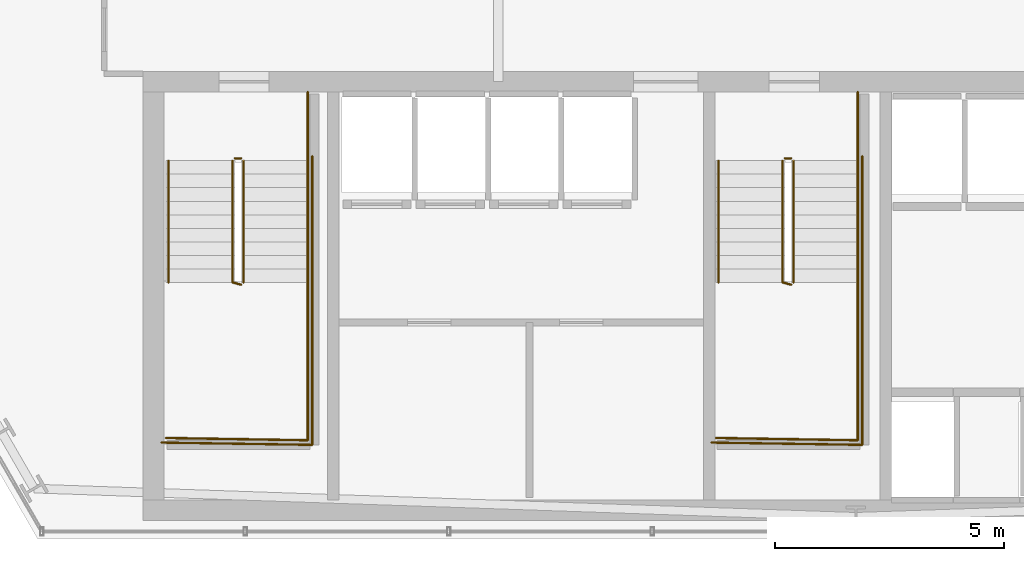
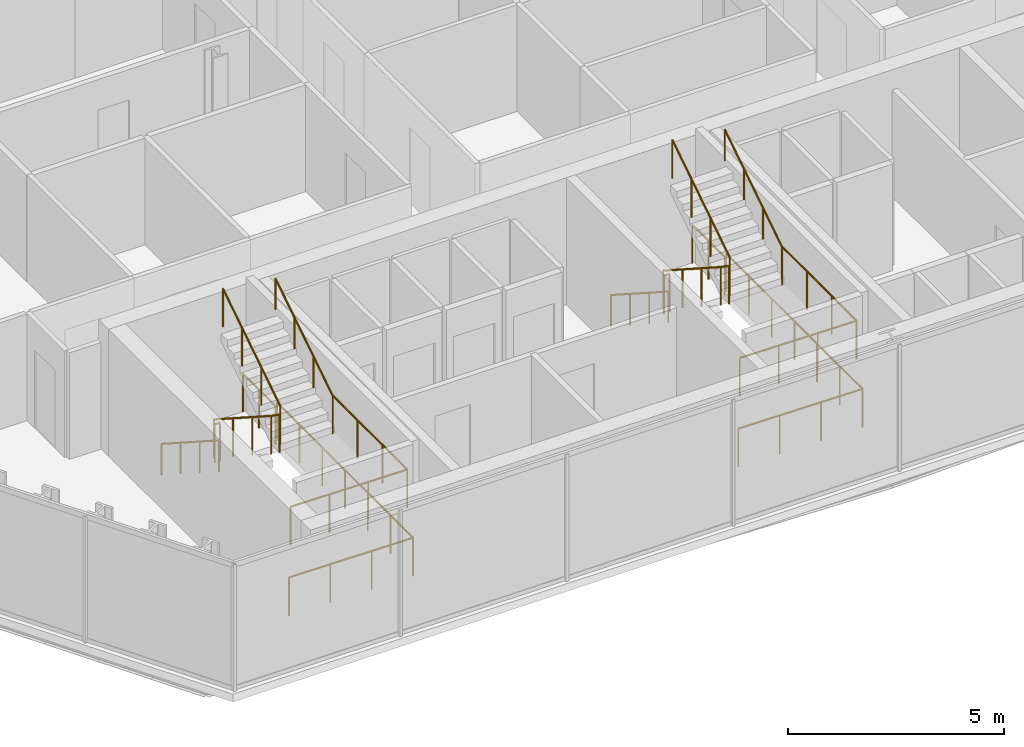
# One storey, part 29 of 31: 16 railings.
"""IFC4 building model written with IfcOpenShell, lengths in metres."""

from ifc_helpers import new_model, si_unit, direction, frame, origin, origin_2d, place, context, subcontext, project, spatial, circle, extrude, material, layer, layer_set, type_object, element, save


model = new_model("IFC4")

# Units and contexts
model_context = context("Model", 3, precision=1e-05, world=origin(), true_north=direction((0.0, 1.0)))
body_context = subcontext(model_context, "Body", "Model", "MODEL_VIEW")
ifc_project = project(units=[si_unit("LENGTHUNIT", "METRE"), si_unit("AREAUNIT", "SQUARE_METRE"), si_unit("VOLUMEUNIT", "CUBIC_METRE"), si_unit("PLANEANGLEUNIT", "RADIAN"), si_unit("MASSUNIT", "GRAM", prefix="KILO")], contexts=[model_context])

# Site, building, storey
site_placement = place(None, origin())
site = spatial("IfcSite", under=ifc_project, at=site_placement, CompositionType="ELEMENT")
building_placement = place(site_placement, origin())
building = spatial("IfcBuilding", under=site, at=building_placement, Name="Ndaravel Arena Tower", CompositionType="ELEMENT")
storey_placement = place(building_placement, frame((0.0, 0.0, 138.39990234375)))
storey = spatial("IfcBuildingStorey", under=building, at=storey_placement, Name="L32", CompositionType="ELEMENT", Elevation=138.39990234375)

# Railings
ifc_material_1 = material(Name="Steel S355", Category="steel")
ifc_layer_1 = layer(ifc_material_1, 0.06005859375)
ifc_layer_set_1 = layer_set([ifc_layer_1], Name="Steel S355")
railing_type_1 = type_object("IfcRailingType", Name="RAIL-STAIR-GD1100", PredefinedType="GUARDRAIL", material=ifc_layer_set_1)
railing_1_placement = place(storey_placement, frame((28.39990234375, 13.25, 0.190185546875)))
element("IfcRailing", 1, at=railing_1_placement, inside=storey, type_object=railing_type_1, Name="L32 ST-1 stair guard 1", PredefinedType="GUARDRAIL", context=body_context, shape_type="SweptSolid", body=[
    extrude(circle(Radius=0.02392578125, at=origin_2d()), frame((0.0, 0.0, 1.076171875), z_axis=(0.0, -0.840723540582, 0.54146461409), x_axis=(1.0, 0.0, 0.0)), (0.0, 0.0, 1.0), 3.157958984375),
    extrude(circle(Radius=0.02392578125, at=origin_2d()), frame((0.0, -2.655029296875, 2.7861328125), z_axis=(0.967074537263, -0.25449329928, 0.0), x_axis=(0.25449329928, 0.967074537263, 0.0)), (0.0, 0.0, 1.0), 0.19677734375),
    extrude(circle(Radius=0.02099609375, at=origin_2d()), origin(), (0.0, 0.0, 1.0), 1.052001953125),
    extrude(circle(Radius=0.02099609375, at=origin_2d()), frame((0.0, -0.885009765625, 0.570068359375)), (0.0, 0.0, 1.0), 1.052001953125),
    extrude(circle(Radius=0.02099609375, at=origin_2d()), frame((0.0, -1.77001953125, 1.139892578125)), (0.0, 0.0, 1.0), 1.052001953125),
    extrude(circle(Radius=0.02099609375, at=origin_2d()), frame((0.0, -2.655029296875, 1.7099609375)), (0.0, 0.0, 1.0), 1.052001953125),
    extrude(circle(Radius=0.02099609375, at=origin_2d()), frame((0.190185546875, -2.705078125, 1.7099609375)), (0.0, 0.0, 1.0), 1.052001953125),
])
railing_2_placement = place(storey_placement, frame((30.0400390625, 10.594970703125, 1.900146484375)))
element("IfcRailing", 2, at=railing_2_placement, inside=storey, type_object=railing_type_1, Name="L32 ST-1 stair guard 2", PredefinedType="GUARDRAIL", context=body_context, shape_type="SweptSolid", body=[
    extrude(circle(Radius=0.02392578125, at=origin_2d()), frame((0.0, 0.0, 1.076171875), z_axis=(0.0, -1.0, 0.0), x_axis=(1.0, 0.0, 0.0)), (0.0, 0.0, 1.0), 3.445068359375),
    extrude(circle(Radius=0.02392578125, at=origin_2d()), frame((0.0, -3.445068359375, 1.076171875), z_axis=(-0.999868861343, 0.016194447071, 0.0), x_axis=(-0.016194447071, -0.999868861343, 0.0)), (0.0, 0.0, 1.0), 3.090576171875),
    extrude(circle(Radius=0.02099609375, at=origin_2d()), origin(), (0.0, 0.0, 1.0), 1.052001953125),
    extrude(circle(Radius=0.02099609375, at=origin_2d()), frame((0.0, -1.1484375, 0.0)), (0.0, 0.0, 1.0), 1.052001953125),
    extrude(circle(Radius=0.02099609375, at=origin_2d()), frame((0.0, -2.296630859375, 0.0)), (0.0, 0.0, 1.0), 1.052001953125),
    extrude(circle(Radius=0.02099609375, at=origin_2d()), frame((0.0, -3.445068359375, 0.0)), (0.0, 0.0, 1.0), 1.052001953125),
    extrude(circle(Radius=0.02099609375, at=origin_2d()), frame((-1.030029296875, -3.428466796875, 0.0)), (0.0, 0.0, 1.0), 1.052001953125),
    extrude(circle(Radius=0.02099609375, at=origin_2d()), frame((-2.06005859375, -3.41162109375, 0.0)), (0.0, 0.0, 1.0), 1.052001953125),
    extrude(circle(Radius=0.02099609375, at=origin_2d()), frame((-3.090087890625, -3.39501953125, 0.0)), (0.0, 0.0, 1.0), 1.052001953125),
])
railing_3_placement = place(storey_placement, frame((28.639892578125, 10.594970703125, 2.090087890625)))
element("IfcRailing", 3, at=railing_3_placement, inside=storey, type_object=railing_type_1, Name="L32 ST-1 stair guard 3", PredefinedType="GUARDRAIL", context=body_context, shape_type="SweptSolid", body=[
    extrude(circle(Radius=0.02392578125, at=origin_2d()), frame((0.0, 0.0, 1.076171875), z_axis=(0.0, 0.840723540582, 0.54146461409), x_axis=(-1.0, 0.0, 0.0)), (0.0, 0.0, 1.0), 3.157958984375),
    extrude(circle(Radius=0.02099609375, at=origin_2d()), origin(), (0.0, 0.0, 1.0), 1.052001953125),
    extrude(circle(Radius=0.02099609375, at=origin_2d()), frame((0.0, 0.885009765625, 0.570068359375)), (0.0, 0.0, 1.0), 1.052001953125),
    extrude(circle(Radius=0.02099609375, at=origin_2d()), frame((0.0, 1.77001953125, 1.139892578125)), (0.0, 0.0, 1.0), 1.052001953125),
    extrude(circle(Radius=0.02099609375, at=origin_2d()), frame((0.0, 2.655029296875, 1.7099609375)), (0.0, 0.0, 1.0), 1.052001953125),
])
railing_4_placement = place(storey_placement, frame((28.449951171875, 13.300048828125, 0.0)))
element("IfcRailing", 4, at=railing_4_placement, inside=storey, type_object=railing_type_1, Name="L32 ST-1 stair guard 4", PredefinedType="GUARDRAIL", context=body_context, shape_type="SweptSolid", body=[
    extrude(circle(Radius=0.02392578125, at=origin_2d()), frame((0.0, 0.0, 1.076171875), z_axis=(1.0, 0.0, 0.0), x_axis=(0.0, 1.0, 0.0)), (0.0, 0.0, 1.0), 0.14013671875),
    extrude(circle(Radius=0.02099609375, at=origin_2d()), origin(), (0.0, 0.0, 1.0), 1.052001953125),
    extrude(circle(Radius=0.02099609375, at=origin_2d()), frame((0.14013671875, 0.0, 0.0)), (0.0, 0.0, 1.0), 1.052001953125),
])
railing_5_placement = place(storey_placement, frame((30.0400390625, 14.75, 0.0)))
element("IfcRailing", 5, at=railing_5_placement, inside=storey, type_object=railing_type_1, Name="L32 ST-1 stair guard 5", PredefinedType="GUARDRAIL", context=body_context, shape_type="SweptSolid", body=[
    extrude(circle(Radius=0.02392578125, at=origin_2d()), frame((0.0, 0.0, 1.076171875), z_axis=(0.0, -1.0, 0.0), x_axis=(1.0, 0.0, 0.0)), (0.0, 0.0, 1.0), 1.5),
    extrude(circle(Radius=0.02099609375, at=origin_2d()), origin(), (0.0, 0.0, 1.0), 1.052001953125),
    extrude(circle(Radius=0.02099609375, at=origin_2d()), frame((0.0, -0.75, 0.0)), (0.0, 0.0, 1.0), 1.052001953125),
    extrude(circle(Radius=0.02099609375, at=origin_2d()), frame((0.0, -1.5, 0.0)), (0.0, 0.0, 1.0), 1.052001953125),
])
railing_6_placement = place(storey_placement, frame((30.139892578125, 13.35009765625, 0.0)))
element("IfcRailing", 6, at=railing_6_placement, inside=storey, type_object=railing_type_1, Name="L32 ST-1 stair guard 6", PredefinedType="GUARDRAIL", context=body_context, shape_type="SweptSolid", body=[
    extrude(circle(Radius=0.02392578125, at=origin_2d()), frame((0.0, 0.0, 1.076171875), z_axis=(0.0, -1.0, 0.0), x_axis=(1.0, 0.0, 0.0)), (0.0, 0.0, 1.0), 6.300048828125),
    extrude(circle(Radius=0.02392578125, at=origin_2d()), frame((0.0, -6.300048828125, 1.076171875), z_axis=(-0.999884296952, 0.015211597839, 0.0), x_axis=(-0.015211597839, -0.999884296952, 0.0)), (0.0, 0.0, 1.0), 3.290283203125),
    extrude(circle(Radius=0.02099609375, at=origin_2d()), origin(), (0.0, 0.0, 1.0), 1.052001953125),
    extrude(circle(Radius=0.02099609375, at=origin_2d()), frame((0.0, -1.050048828125, 0.0)), (0.0, 0.0, 1.0), 1.052001953125),
    extrude(circle(Radius=0.02099609375, at=origin_2d()), frame((0.0, -2.10009765625, 0.0)), (0.0, 0.0, 1.0), 1.052001953125),
    extrude(circle(Radius=0.02099609375, at=origin_2d()), frame((0.0, -3.14990234375, 0.0)), (0.0, 0.0, 1.0), 1.052001953125),
    extrude(circle(Radius=0.02099609375, at=origin_2d()), frame((0.0, -4.199951171875, 0.0)), (0.0, 0.0, 1.0), 1.052001953125),
    extrude(circle(Radius=0.02099609375, at=origin_2d()), frame((0.0, -5.25, 0.0)), (0.0, 0.0, 1.0), 1.052001953125),
    extrude(circle(Radius=0.02099609375, at=origin_2d()), frame((0.0, -6.300048828125, 0.0)), (0.0, 0.0, 1.0), 1.052001953125),
    extrude(circle(Radius=0.02099609375, at=origin_2d()), frame((-1.0966796875, -6.283447265625, 0.0)), (0.0, 0.0, 1.0), 1.052001953125),
    extrude(circle(Radius=0.02099609375, at=origin_2d()), frame((-2.193115234375, -6.2666015625, 0.0)), (0.0, 0.0, 1.0), 1.052001953125),
    extrude(circle(Radius=0.02099609375, at=origin_2d()), frame((-3.289794921875, -6.25, 0.0)), (0.0, 0.0, 1.0), 1.052001953125),
])
railing_7_placement = place(storey_placement, frame((40.39990234375, 13.25, 0.190185546875)))
element("IfcRailing", 7, at=railing_7_placement, inside=storey, type_object=railing_type_1, Name="L32 ST-2 stair guard 1", PredefinedType="GUARDRAIL", context=body_context, shape_type="SweptSolid", body=[
    extrude(circle(Radius=0.02392578125, at=origin_2d()), frame((0.0, 0.0, 1.076171875), z_axis=(0.0, -0.840723540582, 0.54146461409), x_axis=(1.0, 0.0, 0.0)), (0.0, 0.0, 1.0), 3.157958984375),
    extrude(circle(Radius=0.02392578125, at=origin_2d()), frame((0.0, -2.655029296875, 2.7861328125), z_axis=(0.967074537263, -0.25449329928, 0.0), x_axis=(0.25449329928, 0.967074537263, 0.0)), (0.0, 0.0, 1.0), 0.19677734375),
    extrude(circle(Radius=0.02099609375, at=origin_2d()), origin(), (0.0, 0.0, 1.0), 1.052001953125),
    extrude(circle(Radius=0.02099609375, at=origin_2d()), frame((0.0, -0.885009765625, 0.570068359375)), (0.0, 0.0, 1.0), 1.052001953125),
    extrude(circle(Radius=0.02099609375, at=origin_2d()), frame((0.0, -1.77001953125, 1.139892578125)), (0.0, 0.0, 1.0), 1.052001953125),
    extrude(circle(Radius=0.02099609375, at=origin_2d()), frame((0.0, -2.655029296875, 1.7099609375)), (0.0, 0.0, 1.0), 1.052001953125),
    extrude(circle(Radius=0.02099609375, at=origin_2d()), frame((0.190185546875, -2.705078125, 1.7099609375)), (0.0, 0.0, 1.0), 1.052001953125),
])
railing_8_placement = place(storey_placement, frame((42.0400390625, 10.594970703125, 1.900146484375)))
element("IfcRailing", 8, at=railing_8_placement, inside=storey, type_object=railing_type_1, Name="L32 ST-2 stair guard 2", PredefinedType="GUARDRAIL", context=body_context, shape_type="SweptSolid", body=[
    extrude(circle(Radius=0.02392578125, at=origin_2d()), frame((0.0, 0.0, 1.076171875), z_axis=(0.0, -1.0, 0.0), x_axis=(1.0, 0.0, 0.0)), (0.0, 0.0, 1.0), 3.445068359375),
    extrude(circle(Radius=0.02392578125, at=origin_2d()), frame((0.0, -3.445068359375, 1.076171875), z_axis=(-0.999868861343, 0.016194447071, 0.0), x_axis=(-0.016194447071, -0.999868861343, 0.0)), (0.0, 0.0, 1.0), 3.090576171875),
    extrude(circle(Radius=0.02099609375, at=origin_2d()), origin(), (0.0, 0.0, 1.0), 1.052001953125),
    extrude(circle(Radius=0.02099609375, at=origin_2d()), frame((0.0, -1.1484375, 0.0)), (0.0, 0.0, 1.0), 1.052001953125),
    extrude(circle(Radius=0.02099609375, at=origin_2d()), frame((0.0, -2.296630859375, 0.0)), (0.0, 0.0, 1.0), 1.052001953125),
    extrude(circle(Radius=0.02099609375, at=origin_2d()), frame((0.0, -3.445068359375, 0.0)), (0.0, 0.0, 1.0), 1.052001953125),
    extrude(circle(Radius=0.02099609375, at=origin_2d()), frame((-1.030029296875, -3.428466796875, 0.0)), (0.0, 0.0, 1.0), 1.052001953125),
    extrude(circle(Radius=0.02099609375, at=origin_2d()), frame((-2.06005859375, -3.41162109375, 0.0)), (0.0, 0.0, 1.0), 1.052001953125),
    extrude(circle(Radius=0.02099609375, at=origin_2d()), frame((-3.090087890625, -3.39501953125, 0.0)), (0.0, 0.0, 1.0), 1.052001953125),
])
railing_9_placement = place(storey_placement, frame((40.639892578125, 10.594970703125, 2.090087890625)))
element("IfcRailing", 9, at=railing_9_placement, inside=storey, type_object=railing_type_1, Name="L32 ST-2 stair guard 3", PredefinedType="GUARDRAIL", context=body_context, shape_type="SweptSolid", body=[
    extrude(circle(Radius=0.02392578125, at=origin_2d()), frame((0.0, 0.0, 1.076171875), z_axis=(0.0, 0.840723540582, 0.54146461409), x_axis=(-1.0, 0.0, 0.0)), (0.0, 0.0, 1.0), 3.157958984375),
    extrude(circle(Radius=0.02099609375, at=origin_2d()), origin(), (0.0, 0.0, 1.0), 1.052001953125),
    extrude(circle(Radius=0.02099609375, at=origin_2d()), frame((0.0, 0.885009765625, 0.570068359375)), (0.0, 0.0, 1.0), 1.052001953125),
    extrude(circle(Radius=0.02099609375, at=origin_2d()), frame((0.0, 1.77001953125, 1.139892578125)), (0.0, 0.0, 1.0), 1.052001953125),
    extrude(circle(Radius=0.02099609375, at=origin_2d()), frame((0.0, 2.655029296875, 1.7099609375)), (0.0, 0.0, 1.0), 1.052001953125),
])
railing_10_placement = place(storey_placement, frame((40.449951171875, 13.300048828125, 0.0)))
element("IfcRailing", 10, at=railing_10_placement, inside=storey, type_object=railing_type_1, Name="L32 ST-2 stair guard 4", PredefinedType="GUARDRAIL", context=body_context, shape_type="SweptSolid", body=[
    extrude(circle(Radius=0.02392578125, at=origin_2d()), frame((0.0, 0.0, 1.076171875), z_axis=(1.0, 0.0, 0.0), x_axis=(0.0, 1.0, 0.0)), (0.0, 0.0, 1.0), 0.14013671875),
    extrude(circle(Radius=0.02099609375, at=origin_2d()), origin(), (0.0, 0.0, 1.0), 1.052001953125),
    extrude(circle(Radius=0.02099609375, at=origin_2d()), frame((0.14013671875, 0.0, 0.0)), (0.0, 0.0, 1.0), 1.052001953125),
])
railing_11_placement = place(storey_placement, frame((42.0400390625, 14.75, 0.0)))
element("IfcRailing", 11, at=railing_11_placement, inside=storey, type_object=railing_type_1, Name="L32 ST-2 stair guard 5", PredefinedType="GUARDRAIL", context=body_context, shape_type="SweptSolid", body=[
    extrude(circle(Radius=0.02392578125, at=origin_2d()), frame((0.0, 0.0, 1.076171875), z_axis=(0.0, -1.0, 0.0), x_axis=(1.0, 0.0, 0.0)), (0.0, 0.0, 1.0), 1.5),
    extrude(circle(Radius=0.02099609375, at=origin_2d()), origin(), (0.0, 0.0, 1.0), 1.052001953125),
    extrude(circle(Radius=0.02099609375, at=origin_2d()), frame((0.0, -0.75, 0.0)), (0.0, 0.0, 1.0), 1.052001953125),
    extrude(circle(Radius=0.02099609375, at=origin_2d()), frame((0.0, -1.5, 0.0)), (0.0, 0.0, 1.0), 1.052001953125),
])
railing_12_placement = place(storey_placement, frame((42.139892578125, 13.35009765625, 0.0)))
element("IfcRailing", 12, at=railing_12_placement, inside=storey, type_object=railing_type_1, Name="L32 ST-2 stair guard 6", PredefinedType="GUARDRAIL", context=body_context, shape_type="SweptSolid", body=[
    extrude(circle(Radius=0.02392578125, at=origin_2d()), frame((0.0, 0.0, 1.076171875), z_axis=(0.0, -1.0, 0.0), x_axis=(1.0, 0.0, 0.0)), (0.0, 0.0, 1.0), 6.300048828125),
    extrude(circle(Radius=0.02392578125, at=origin_2d()), frame((0.0, -6.300048828125, 1.076171875), z_axis=(-0.999884296952, 0.015211597839, 0.0), x_axis=(-0.015211597839, -0.999884296952, 0.0)), (0.0, 0.0, 1.0), 3.290283203125),
    extrude(circle(Radius=0.02099609375, at=origin_2d()), origin(), (0.0, 0.0, 1.0), 1.052001953125),
    extrude(circle(Radius=0.02099609375, at=origin_2d()), frame((0.0, -1.050048828125, 0.0)), (0.0, 0.0, 1.0), 1.052001953125),
    extrude(circle(Radius=0.02099609375, at=origin_2d()), frame((0.0, -2.10009765625, 0.0)), (0.0, 0.0, 1.0), 1.052001953125),
    extrude(circle(Radius=0.02099609375, at=origin_2d()), frame((0.0, -3.14990234375, 0.0)), (0.0, 0.0, 1.0), 1.052001953125),
    extrude(circle(Radius=0.02099609375, at=origin_2d()), frame((0.0, -4.199951171875, 0.0)), (0.0, 0.0, 1.0), 1.052001953125),
    extrude(circle(Radius=0.02099609375, at=origin_2d()), frame((0.0, -5.25, 0.0)), (0.0, 0.0, 1.0), 1.052001953125),
    extrude(circle(Radius=0.02099609375, at=origin_2d()), frame((0.0, -6.300048828125, 0.0)), (0.0, 0.0, 1.0), 1.052001953125),
    extrude(circle(Radius=0.02099609375, at=origin_2d()), frame((-1.0966796875, -6.283447265625, 0.0)), (0.0, 0.0, 1.0), 1.052001953125),
    extrude(circle(Radius=0.02099609375, at=origin_2d()), frame((-2.193115234375, -6.2666015625, 0.0)), (0.0, 0.0, 1.0), 1.052001953125),
    extrude(circle(Radius=0.02099609375, at=origin_2d()), frame((-3.289794921875, -6.25, 0.0)), (0.0, 0.0, 1.0), 1.052001953125),
])
ifc_material_2 = material(Name="Steel S355", Category="steel")
ifc_layer_2 = layer(ifc_material_2, 0.050048828125)
ifc_layer_set_2 = layer_set([ifc_layer_2], Name="Steel S355")
railing_type_2 = type_object("IfcRailingType", Name="RAIL-STAIR-HR920", PredefinedType="HANDRAIL", material=ifc_layer_set_2)
railing_13_placement = place(storey_placement, frame((27.0, 13.25, 0.190185546875)))
element("IfcRailing", 13, at=railing_13_placement, inside=storey, type_object=railing_type_2, Name="L32 ST-1 stair handrail 1", PredefinedType="HANDRAIL", context=body_context, shape_type="SweptSolid", body=[
    extrude(circle(Radius=0.02392578125, at=origin_2d()), frame((0.0, 0.0, 0.8759765625), z_axis=(0.0, -0.840723540582, 0.54146461409), x_axis=(1.0, 0.0, 0.0)), (0.0, 0.0, 1.0), 3.157958984375),
    extrude(circle(Radius=0.02099609375, at=origin_2d()), origin(), (0.0, 0.0, 1.0), 0.851806640625),
    extrude(circle(Radius=0.02099609375, at=origin_2d()), frame((0.0, -0.885009765625, 0.570068359375)), (0.0, 0.0, 1.0), 0.851806640625),
    extrude(circle(Radius=0.02099609375, at=origin_2d()), frame((0.0, -1.77001953125, 1.139892578125)), (0.0, 0.0, 1.0), 0.851806640625),
    extrude(circle(Radius=0.02099609375, at=origin_2d()), frame((0.0, -2.655029296875, 1.7099609375)), (0.0, 0.0, 1.0), 0.851806640625),
])
railing_14_placement = place(storey_placement, frame((30.0400390625, 10.594970703125, 2.090087890625)))
element("IfcRailing", 14, at=railing_14_placement, inside=storey, type_object=railing_type_2, Name="L32 ST-1 stair handrail 2", PredefinedType="HANDRAIL", context=body_context, shape_type="SweptSolid", body=[
    extrude(circle(Radius=0.02392578125, at=origin_2d()), frame((0.0, 0.0, 0.8759765625), z_axis=(0.0, 0.840723540582, 0.54146461409), x_axis=(-1.0, 0.0, 0.0)), (0.0, 0.0, 1.0), 3.157958984375),
    extrude(circle(Radius=0.02099609375, at=origin_2d()), origin(), (0.0, 0.0, 1.0), 0.851806640625),
    extrude(circle(Radius=0.02099609375, at=origin_2d()), frame((0.0, 0.885009765625, 0.570068359375)), (0.0, 0.0, 1.0), 0.851806640625),
    extrude(circle(Radius=0.02099609375, at=origin_2d()), frame((0.0, 1.77001953125, 1.139892578125)), (0.0, 0.0, 1.0), 0.851806640625),
    extrude(circle(Radius=0.02099609375, at=origin_2d()), frame((0.0, 2.655029296875, 1.7099609375)), (0.0, 0.0, 1.0), 0.851806640625),
])
railing_15_placement = place(storey_placement, frame((39.0, 13.25, 0.190185546875)))
element("IfcRailing", 15, at=railing_15_placement, inside=storey, type_object=railing_type_2, Name="L32 ST-2 stair handrail 1", PredefinedType="HANDRAIL", context=body_context, shape_type="SweptSolid", body=[
    extrude(circle(Radius=0.02392578125, at=origin_2d()), frame((0.0, 0.0, 0.8759765625), z_axis=(0.0, -0.840723540582, 0.54146461409), x_axis=(1.0, 0.0, 0.0)), (0.0, 0.0, 1.0), 3.157958984375),
    extrude(circle(Radius=0.02099609375, at=origin_2d()), origin(), (0.0, 0.0, 1.0), 0.851806640625),
    extrude(circle(Radius=0.02099609375, at=origin_2d()), frame((0.0, -0.885009765625, 0.570068359375)), (0.0, 0.0, 1.0), 0.851806640625),
    extrude(circle(Radius=0.02099609375, at=origin_2d()), frame((0.0, -1.77001953125, 1.139892578125)), (0.0, 0.0, 1.0), 0.851806640625),
    extrude(circle(Radius=0.02099609375, at=origin_2d()), frame((0.0, -2.655029296875, 1.7099609375)), (0.0, 0.0, 1.0), 0.851806640625),
])
railing_16_placement = place(storey_placement, frame((42.0400390625, 10.594970703125, 2.090087890625)))
element("IfcRailing", 16, at=railing_16_placement, inside=storey, type_object=railing_type_2, Name="L32 ST-2 stair handrail 2", PredefinedType="HANDRAIL", context=body_context, shape_type="SweptSolid", body=[
    extrude(circle(Radius=0.02392578125, at=origin_2d()), frame((0.0, 0.0, 0.8759765625), z_axis=(0.0, 0.840723540582, 0.54146461409), x_axis=(-1.0, 0.0, 0.0)), (0.0, 0.0, 1.0), 3.157958984375),
    extrude(circle(Radius=0.02099609375, at=origin_2d()), origin(), (0.0, 0.0, 1.0), 0.851806640625),
    extrude(circle(Radius=0.02099609375, at=origin_2d()), frame((0.0, 0.885009765625, 0.570068359375)), (0.0, 0.0, 1.0), 0.851806640625),
    extrude(circle(Radius=0.02099609375, at=origin_2d()), frame((0.0, 1.77001953125, 1.139892578125)), (0.0, 0.0, 1.0), 0.851806640625),
    extrude(circle(Radius=0.02099609375, at=origin_2d()), frame((0.0, 2.655029296875, 1.7099609375)), (0.0, 0.0, 1.0), 0.851806640625),
])

save(model, "model.ifc")
